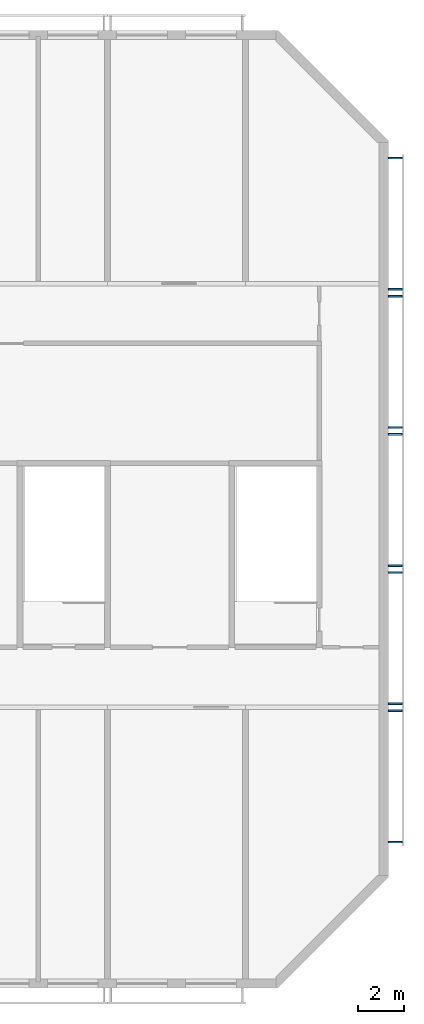
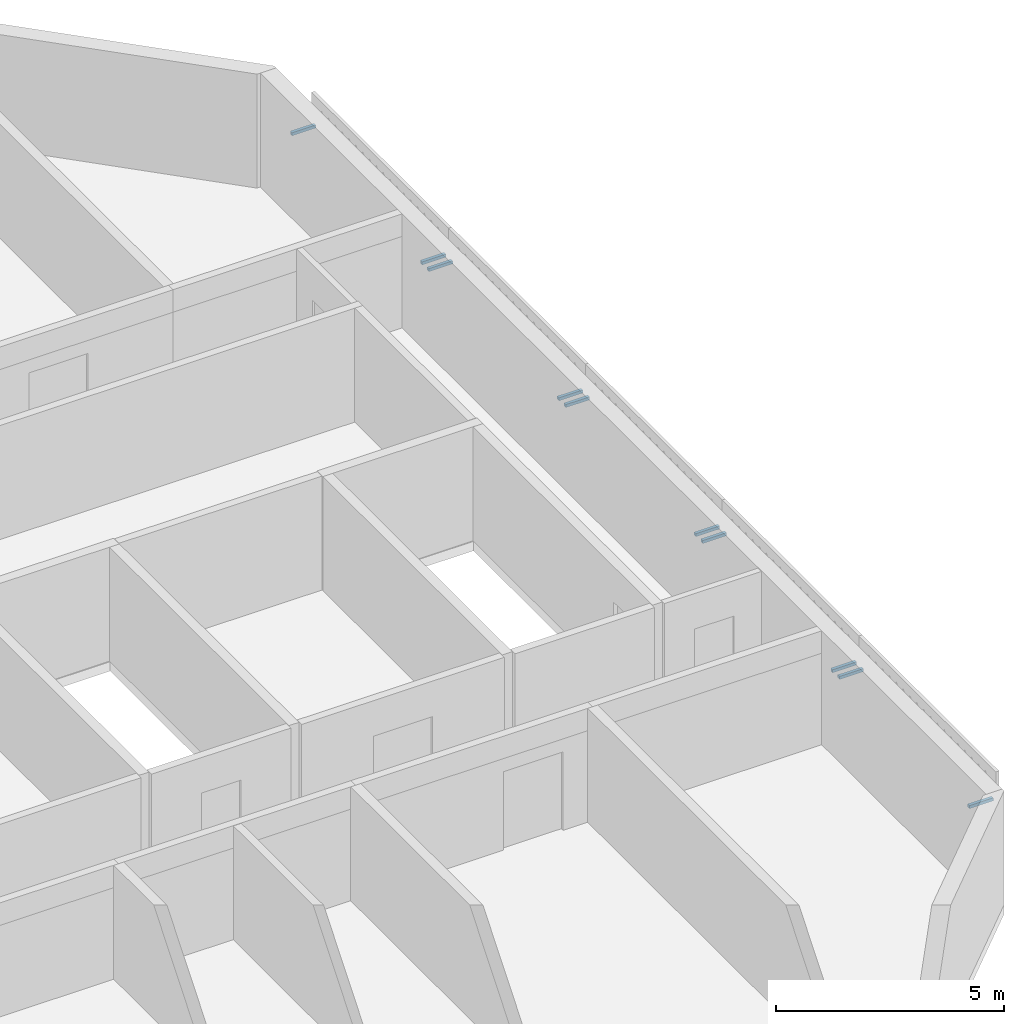
# One storey, part 6 of 16: 10 discrete accessories.
"""IFC4 building model written with IfcOpenShell, lengths in metres."""

from ifc_helpers import new_model, si_unit, direction, frame, origin, origin_2d, place, context, subcontext, project, spatial, rectangle, extrude, source, transform, mapped, material, material_profile, profile_set, type_object, element, save


model = new_model("IFC4")

# Units and contexts
model_context = context("Model", 3, precision=1e-05, world=origin(), true_north=direction((0.0, 1.0)))
body_context = subcontext(model_context, "Body", "Model", "MODEL_VIEW")
ifc_project = project(units=[si_unit("LENGTHUNIT", "METRE"), si_unit("AREAUNIT", "SQUARE_METRE"), si_unit("VOLUMEUNIT", "CUBIC_METRE"), si_unit("PLANEANGLEUNIT", "RADIAN"), si_unit("MASSUNIT", "GRAM", prefix="KILO")], contexts=[model_context])

# Site, building, storey
site_placement = place(None, origin())
site = spatial("IfcSite", under=ifc_project, at=site_placement, CompositionType="ELEMENT")
building_placement = place(site_placement, origin())
building = spatial("IfcBuilding", under=site, at=building_placement, Name="Poui Terraces", CompositionType="ELEMENT")
storey_placement = place(building_placement, frame((0.0, 0.0, 282.300048828125)))
storey = spatial("IfcBuildingStorey", under=building, at=storey_placement, Name="L78 CROWN", CompositionType="ELEMENT", Elevation=282.300048828125)

# Discrete accessories
ifc_material = material(Name="Galvanised steel", Category="steel")
ifc_material_profile = material_profile(ifc_material, rectangle(XDim=0.080078125, YDim=0.080078125, at=origin_2d()), Name="SCREEN BRACKET 80")
ifc_profile_set = profile_set([ifc_material_profile], Name="Galvanised steel")
discrete_accessory_type = type_object("IfcDiscreteAccessoryType", Name="SCREEN BRACKET 80", PredefinedType="BRACKET", material=ifc_profile_set)
shared_shape = source(origin(), body_context, "Body", "SweptSolid", [
    extrude(rectangle(XDim=0.080078125, YDim=0.080078125, at=origin_2d()), origin(), (0.0, 0.0, 1.0), 0.60009765625),
])
for number, where, z_axis, x_axis, name in (
    (1, (84.199951171875, 6.14990234375, 1.699951171875), (1.0, 0.0, 0.0), (0.0, 1.0, 0.0), "SCREEN BRACKET"),
    (2, (84.199951171875, 11.85009765625, 1.699951171875), (1.0, 0.0, 0.0), (0.0, 1.0, 0.0), "SCREEN BRACKET"),
    (3, (84.199951171875, 12.14990234375, 1.699951171875), (1.0, 0.0, 0.0), (0.0, 1.0, 0.0), "SCREEN BRACKET"),
    (4, (84.199951171875, 17.85009765625, 1.699951171875), (1.0, 0.0, 0.0), (0.0, 1.0, 0.0), "SCREEN BRACKET"),
    (5, (84.199951171875, 18.14990234375, 1.699951171875), (1.0, 0.0, 0.0), (0.0, 1.0, 0.0), "SCREEN BRACKET"),
    (6, (84.199951171875, 23.85009765625, 1.699951171875), (1.0, 0.0, 0.0), (0.0, 1.0, 0.0), "SCREEN BRACKET"),
    (7, (84.199951171875, 24.14990234375, 1.699951171875), (1.0, 0.0, 0.0), (0.0, 1.0, 0.0), "SCREEN BRACKET"),
    (8, (84.199951171875, 29.85009765625, 1.699951171875), (1.0, 0.0, 0.0), (0.0, 1.0, 0.0), "SCREEN BRACKET"),
    (9, (84.199951171875, 30.14990234375, 1.699951171875), (1.0, 0.0, 0.0), (0.0, 1.0, 0.0), "SCREEN BRACKET"),
    (10, (84.199951171875, 35.85009765625, 1.699951171875), (1.0, 0.0, 0.0), (0.0, 1.0, 0.0), "SCREEN BRACKET"),
):
    element("IfcDiscreteAccessory", number, at=place(storey_placement, frame(where, z_axis=z_axis, x_axis=x_axis)), inside=storey, type_object=discrete_accessory_type, Name=name, PredefinedType="BRACKET", context=body_context, shape_type="MappedRepresentation", body=[
        mapped(shared_shape, transform((0.0, 0.0, 0.0))),
    ])

save(model, "model.ifc")
